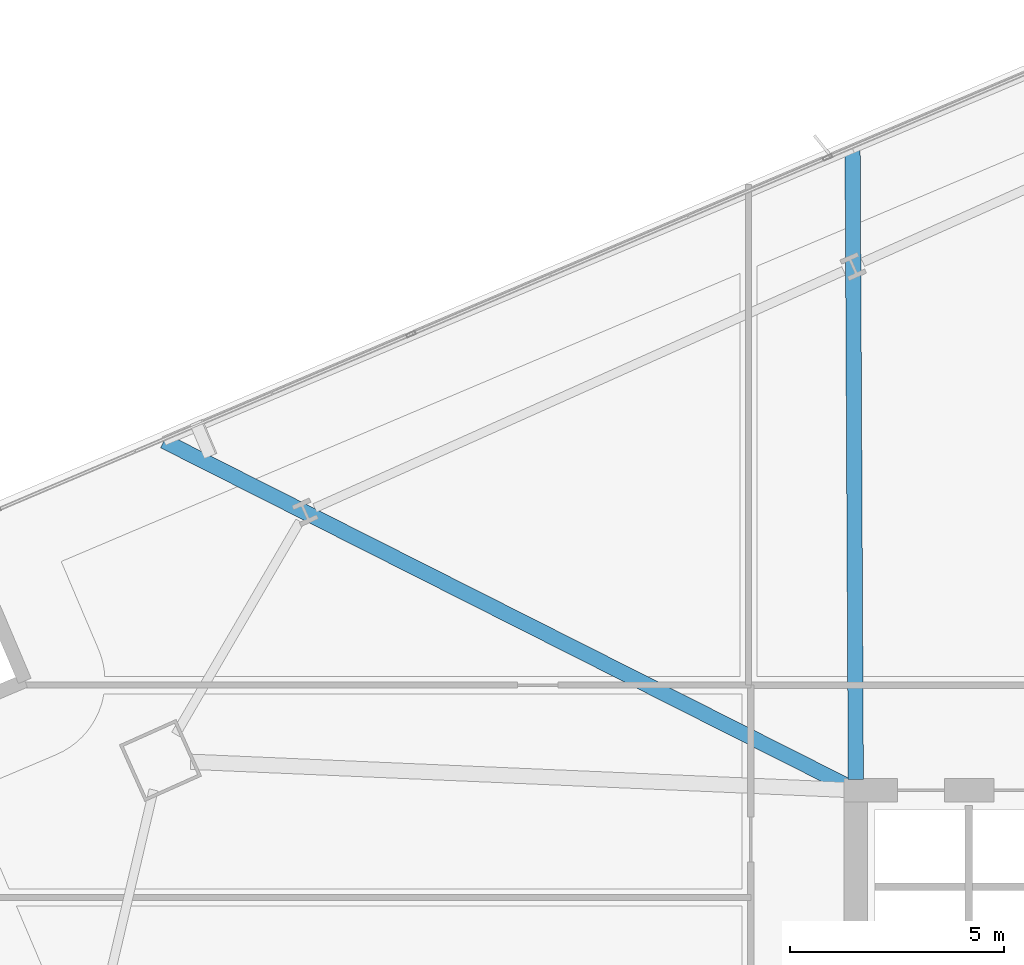
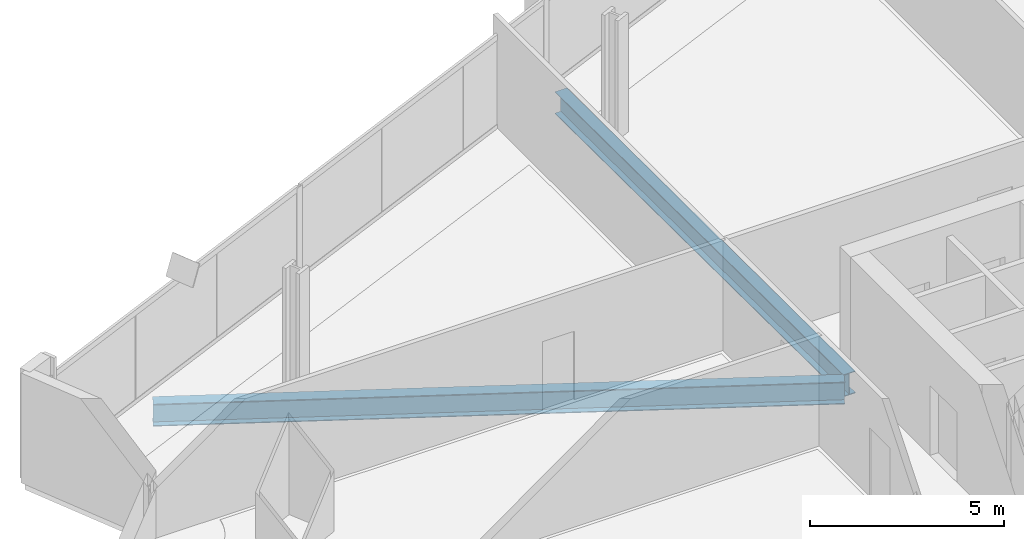
# One storey, part 17 of 34: 2 beams.
"""IFC4 building model written with IfcOpenShell, lengths in metres."""

from ifc_helpers import new_model, si_unit, direction, frame, origin, origin_2d, place, context, subcontext, project, spatial, i_section, extrude, material, material_profile, profile_set, type_object, element, save


model = new_model("IFC4")

# Units and contexts
model_context = context("Model", 3, precision=1e-05, world=origin(), true_north=direction((0.0, 1.0)))
body_context = subcontext(model_context, "Body", "Model", "MODEL_VIEW")
ifc_project = project(units=[si_unit("LENGTHUNIT", "METRE"), si_unit("AREAUNIT", "SQUARE_METRE"), si_unit("VOLUMEUNIT", "CUBIC_METRE"), si_unit("PLANEANGLEUNIT", "RADIAN"), si_unit("MASSUNIT", "GRAM", prefix="KILO")], contexts=[model_context])

# Site, building, storey
site_placement = place(None, origin())
site = spatial("IfcSite", under=ifc_project, at=site_placement, CompositionType="ELEMENT")
building_placement = place(site_placement, origin())
building = spatial("IfcBuilding", under=site, at=building_placement, Name="Haldenkirk Collegiate Tower", CompositionType="ELEMENT")
storey_placement = place(building_placement, frame((0.0, 0.0, 105.449951171875)))
storey = spatial("IfcBuildingStorey", under=building, at=storey_placement, Name="L25", CompositionType="ELEMENT", Elevation=105.449951171875)

# Beams
ifc_material = material(Name="Steel ASTM A992 Grade 50", Category="steel")
ifc_material_profile = material_profile(ifc_material, i_section(OverallWidth=0.35498046875, OverallDepth=0.696044921875, WebThickness=0.015380859375, FlangeThickness=0.02490234375, at=origin_2d()), Name="W27X146")
ifc_profile_set = profile_set([ifc_material_profile], Name="Steel ASTM A992 Grade 50")
beam_type = type_object("IfcBeamType", Name="BM-GIRDER-W27X146", PredefinedType="BEAM", material=ifc_profile_set)
beam_1_placement = place(storey_placement, frame((26.923828125, 48.958740234375, -0.64794921875), z_axis=(0.005097315351, -0.999987008604, 0.0), x_axis=(0.999987008604, 0.005097315351, 0.0)))
element("IfcBeam", 1, at=beam_1_placement, inside=storey, type_object=beam_type, Name="L25 primary floor girder 12", PredefinedType="BEAM", context=body_context, shape_type="SweptSolid", body=[
    extrude(i_section(OverallWidth=0.35498046875, OverallDepth=0.696044921875, WebThickness=0.015380859375, FlangeThickness=0.02490234375, at=origin_2d()), origin(), (0.0, 0.0, 1.0), 14.7041015625),
])
beam_2_placement = place(storey_placement, frame((10.8681640625, 42.1435546875, -0.64794921875), z_axis=(0.892704922817, -0.450641676699, 0.0), x_axis=(0.450641676699, 0.892704922817, 0.0)))
element("IfcBeam", 2, at=beam_2_placement, inside=storey, type_object=beam_type, Name="L25 primary floor girder 13", PredefinedType="BEAM", context=body_context, shape_type="SweptSolid", body=[
    extrude(i_section(OverallWidth=0.35498046875, OverallDepth=0.696044921875, WebThickness=0.015380859375, FlangeThickness=0.02490234375, at=origin_2d()), origin(), (0.0, 0.0, 1.0), 17.81591796875),
])

save(model, "model.ifc")
